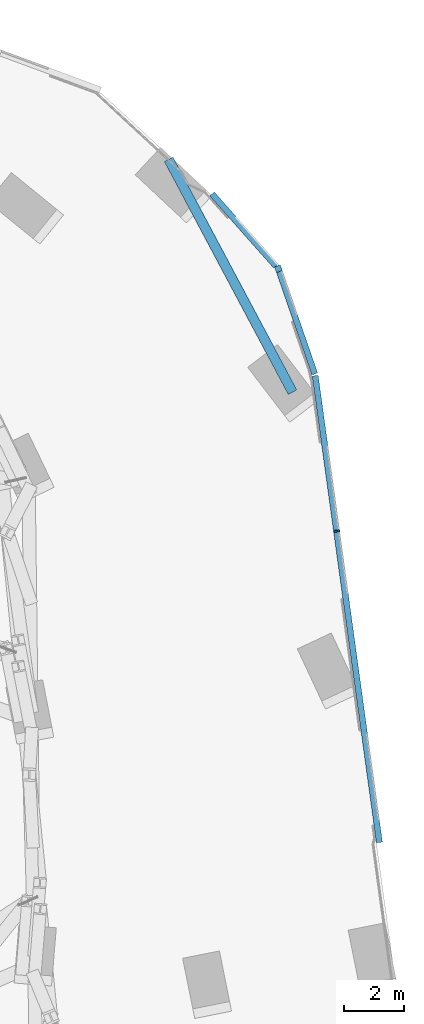
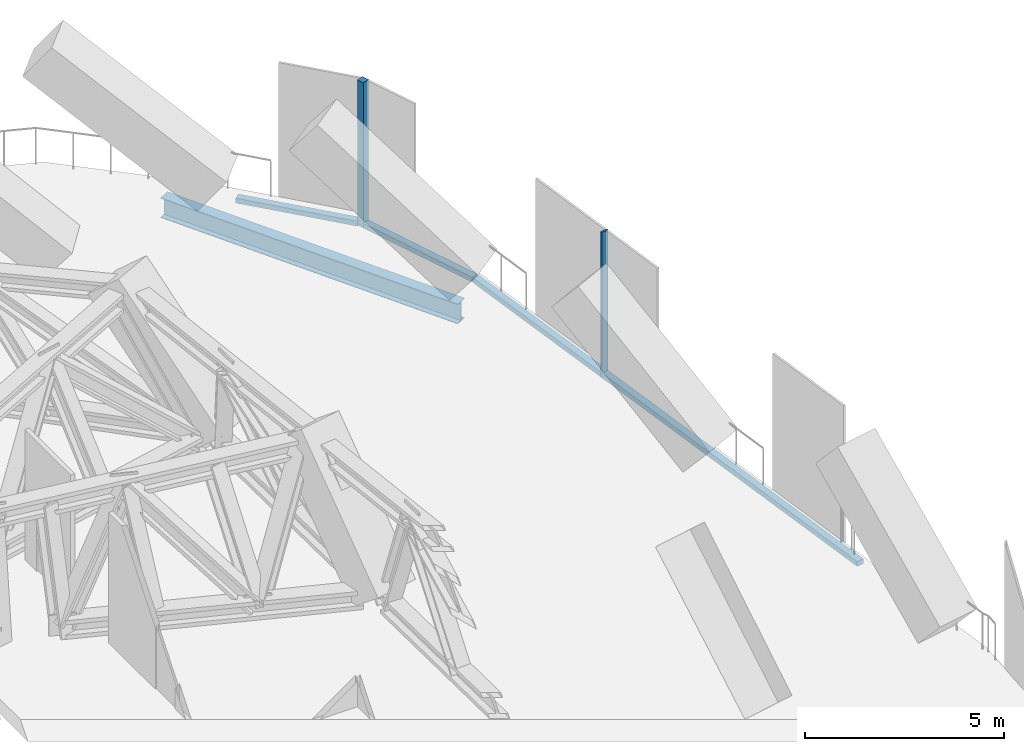
# One storey, part 13 of 27: 5 members, 1 beam, 3 elements without a shape of their own.
"""IFC4 building model written with IfcOpenShell, lengths in metres."""

from ifc_helpers import new_model, si_unit, direction, frame, origin, origin_2d, place, context, subcontext, project, spatial, rectangle, i_section, extrude, material, material_profile, profile_set, type_object, element, aggregate, save


model = new_model("IFC4")

# Units and contexts
model_context = context("Model", 3, precision=1e-05, world=origin(), true_north=direction((0.0, 1.0)))
body_context = subcontext(model_context, "Body", "Model", "MODEL_VIEW")
ifc_project = project(units=[si_unit("LENGTHUNIT", "METRE"), si_unit("AREAUNIT", "SQUARE_METRE"), si_unit("VOLUMEUNIT", "CUBIC_METRE"), si_unit("PLANEANGLEUNIT", "RADIAN"), si_unit("MASSUNIT", "GRAM", prefix="KILO")], contexts=[model_context])

# Site, building, storey
site_placement = place(None, origin())
site = spatial("IfcSite", under=ifc_project, at=site_placement, CompositionType="ELEMENT")
building_placement = place(site_placement, origin())
building = spatial("IfcBuilding", under=site, at=building_placement, Name="Orlundy Tower", CompositionType="ELEMENT")
storey_placement = place(building_placement, frame((0.0, 0.0, 206.10009765625)))
storey = spatial("IfcBuildingStorey", under=building, at=storey_placement, Name="L54", CompositionType="ELEMENT", Elevation=206.10009765625)

# Beam
ifc_material_1 = material(Name="Steel ASTM A992 Gr 50", Category="steel")
ifc_material_profile_1 = material_profile(ifc_material_1, i_section(OverallWidth=0.32373046875, OverallDepth=0.611083984375, WebThickness=0.0126953125, FlangeThickness=0.01904296875, at=origin_2d()), Name="W24X104")
ifc_profile_set_1 = profile_set([ifc_material_profile_1], Name="Steel ASTM A992 Gr 50")
beam_type = type_object("IfcBeamType", Name="CANTILEVER GIRDER beam W24X104", PredefinedType="BEAM", material=ifc_profile_set_1)
beam_placement = place(storey_placement, frame((33.909912109375, 23.120849609375, -0.755615234375), z_axis=(0.469780269934, -0.88278338112, 0.0), x_axis=(0.88278338112, 0.469780269934, 0.0)))
element("IfcBeam", 1, at=beam_placement, inside=storey, type_object=beam_type, Name="Cantilever girder C-A5-5 L54", PredefinedType="BEAM", context=body_context, shape_type="SweptSolid", body=[
    extrude(i_section(OverallWidth=0.32373046875, OverallDepth=0.611083984375, WebThickness=0.0126953125, FlangeThickness=0.01904296875, at=origin_2d()), origin(), (0.0, 0.0, 1.0), 8.784912109375),
])

# Curtain wall, member
ifc_material_2 = material(Name="Aluminium bronze anodised", Category="aluminium")
curtain_wall_type = type_object("IfcCurtainWallType", Name="CW4 wall", PredefinedType="NOTDEFINED", material=ifc_material_2)
curtain_wall_1_placement = place(storey_placement, origin())
curtain_wall_1 = element("IfcCurtainWall", 2, at=curtain_wall_1_placement, inside=storey, type_object=curtain_wall_type, Name="CW4 run 023", PredefinedType="NOTDEFINED")
ifc_material_3 = material(Name="Aluminium bronze anodised", Category="aluminium")
ifc_material_profile_2 = material_profile(ifc_material_3, rectangle(XDim=0.199951171875, YDim=0.199951171875, at=origin_2d()), Name="CW4 corner post 200x200")
ifc_profile_set_2 = profile_set([ifc_material_profile_2], Name="Aluminium bronze anodised")
member_type_1 = type_object("IfcMemberType", Name="CW4 corner post 200x200", PredefinedType="MULLION", material=ifc_profile_set_2)
member_1_placement = place(storey_placement, frame((37.56689453125, 19.4765625, -0.4501953125), z_axis=(0.0, 0.0, 1.0), x_axis=(0.945034174317, 0.32697157273, 0.0)))
member_1 = element("IfcMember", 3, at=member_1_placement, type_object=member_type_1, Name="CW4 mullion 32", PredefinedType="MULLION", context=body_context, shape_type="SweptSolid", body=[
    extrude(rectangle(XDim=0.199951171875, YDim=0.199951171875, at=origin_2d()), origin(), (0.0, 0.0, 1.0), 4.4501953125),
])

curtain_wall_2_placement = place(storey_placement, origin())
curtain_wall_2 = element("IfcCurtainWall", 4, at=curtain_wall_2_placement, inside=storey, type_object=curtain_wall_type, Name="CW4 run 024", PredefinedType="NOTDEFINED")
ifc_material_4 = material(Name="Aluminium bronze anodised", Category="aluminium")
ifc_material_profile_3 = material_profile(ifc_material_4, rectangle(XDim=0.199951171875, YDim=0.06005859375, at=origin_2d()), Name="CW4 mullion 60x200")
ifc_profile_set_3 = profile_set([ifc_material_profile_3], Name="Aluminium bronze anodised")
member_type_2 = type_object("IfcMemberType", Name="CW4 mullion 60x200", PredefinedType="MULLION", material=ifc_profile_set_3)
member_2_placement = place(storey_placement, frame((39.505615234375, 10.734619140625, -0.4501953125), z_axis=(0.0, 0.0, 1.0), x_axis=(0.990669519619, 0.13628610677, 0.0)))
member_2 = element("IfcMember", 5, at=member_2_placement, type_object=member_type_2, Name="CW4 mullion 34", PredefinedType="MULLION", context=body_context, shape_type="SweptSolid", body=[
    extrude(rectangle(XDim=0.199951171875, YDim=0.06005859375, at=origin_2d()), origin(), (0.0, 0.0, 1.0), 4.4501953125),
])

curtain_wall_3_placement = place(storey_placement, origin())
curtain_wall_3 = element("IfcCurtainWall", 6, at=curtain_wall_3_placement, inside=storey, type_object=curtain_wall_type, Name="CW4 run 022", PredefinedType="NOTDEFINED")
ifc_material_5 = material(Name="Aluminium bronze anodised", Category="aluminium")
ifc_material_profile_4 = material_profile(ifc_material_5, rectangle(XDim=0.199951171875, YDim=0.14990234375, at=origin_2d()), Name="CW4 transom 200x150")
ifc_profile_set_4 = profile_set([ifc_material_profile_4], Name="Aluminium bronze anodised")
member_type_3 = type_object("IfcMemberType", Name="CW4 transom 200x150", PredefinedType="USERDEFINED", material=ifc_profile_set_4)
member_3_placement = place(storey_placement, frame((35.35595703125, 21.968017578125, -0.375), z_axis=(0.6637335603, -0.747969090893, 0.0), x_axis=(0.747969090893, 0.6637335603, 0.0)))
member_3 = element("IfcMember", 7, at=member_3_placement, type_object=member_type_3, Name="CW4 transom", ObjectType="TRANSOM", PredefinedType="USERDEFINED", context=body_context, shape_type="SweptSolid", body=[
    extrude(rectangle(XDim=0.199951171875, YDim=0.14990234375, at=origin_2d()), origin(), (0.0, 0.0, 1.0), 3.222900390625),
])
aggregate(curtain_wall_3, [member_3])

# Member
member_4_placement = place(storey_placement, frame((37.599609375, 19.382080078125, -0.375), z_axis=(0.326971054958, -0.94503435346, 0.0), x_axis=(0.94503435346, 0.326971054958, 0.0)))
member_4 = element("IfcMember", 8, at=member_4_placement, type_object=member_type_3, Name="CW4 transom", ObjectType="TRANSOM", PredefinedType="USERDEFINED", context=body_context, shape_type="SweptSolid", body=[
    extrude(rectangle(XDim=0.199951171875, YDim=0.14990234375, at=origin_2d()), origin(), (0.0, 0.0, 1.0), 3.6064453125),
])

aggregate(curtain_wall_1, [member_1, member_4])

member_5_placement = place(storey_placement, frame((38.792724609375, 15.91552734375, -0.375), z_axis=(0.136285874948, -0.99066955151, 0.0), x_axis=(0.99066955151, 0.136285874948, 0.0)))
member_5 = element("IfcMember", 9, at=member_5_placement, type_object=member_type_3, Name="CW4 transom", ObjectType="TRANSOM", PredefinedType="USERDEFINED", context=body_context, shape_type="SweptSolid", body=[
    extrude(rectangle(XDim=0.199951171875, YDim=0.14990234375, at=origin_2d()), origin(), (0.0, 0.0, 1.0), 15.69970703125),
])

aggregate(curtain_wall_2, [member_2, member_5])

save(model, "model.ifc")
